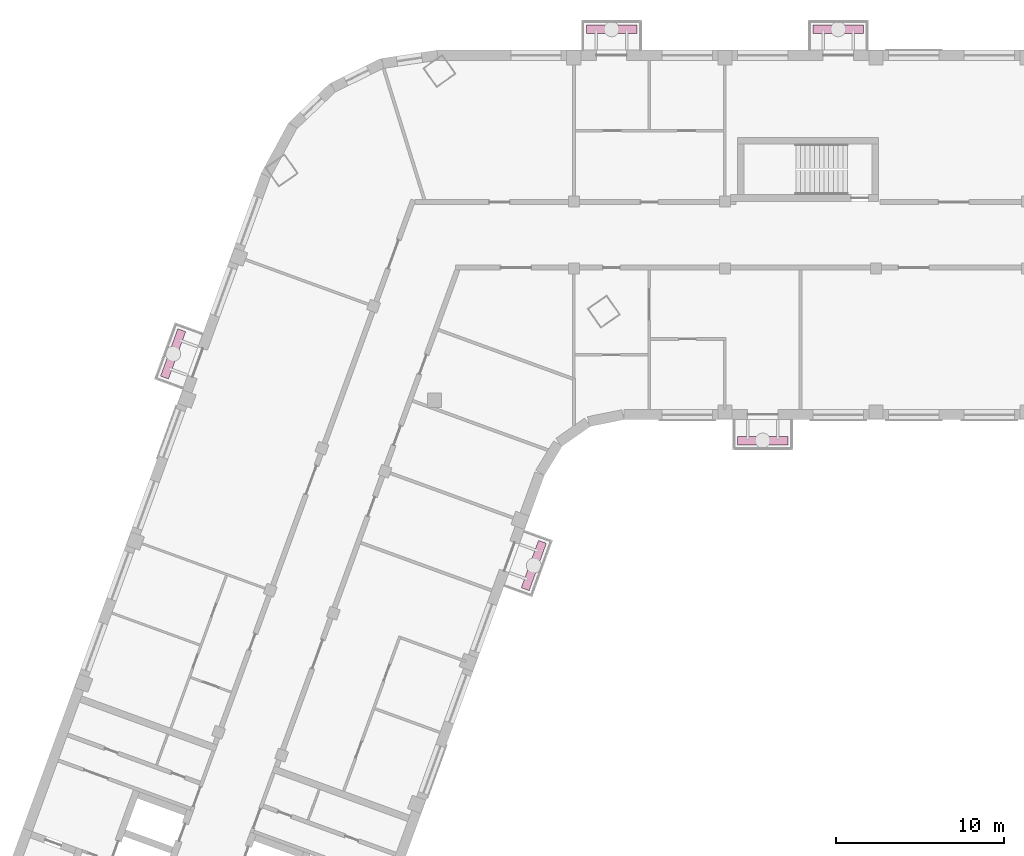
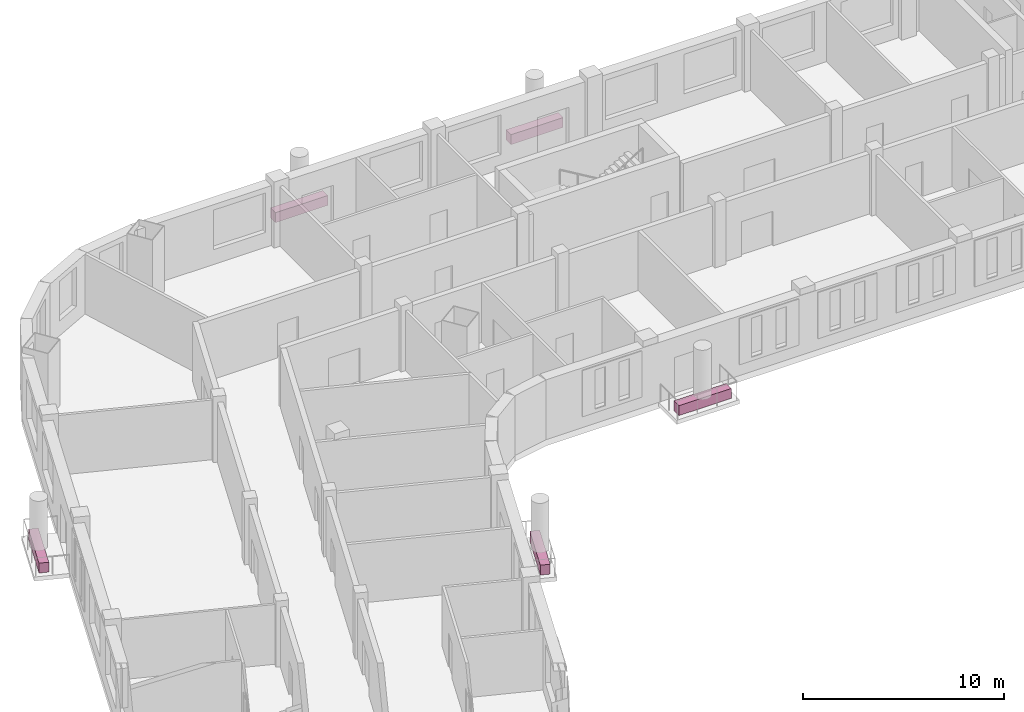
# One storey, part 11 of 12: 5 furniture elements.
"""IFC4 building model written with IfcOpenShell, lengths in metres."""

from ifc_helpers import new_model, si_unit, direction, frame, origin, origin_2d, place, context, subcontext, project, spatial, rectangle, extrude, element, save


model = new_model("IFC4")

# Units and contexts
model_context = context("Model", 3, precision=1e-05, world=origin(), true_north=direction((0.0, 1.0)))
body_context = subcontext(model_context, "Body", "Model", "MODEL_VIEW")
ifc_project = project(units=[si_unit("LENGTHUNIT", "METRE"), si_unit("AREAUNIT", "SQUARE_METRE"), si_unit("VOLUMEUNIT", "CUBIC_METRE"), si_unit("PLANEANGLEUNIT", "RADIAN"), si_unit("MASSUNIT", "GRAM", prefix="KILO")], contexts=[model_context])

# Site, building, storey
site_placement = place(None, origin())
site = spatial("IfcSite", under=ifc_project, at=site_placement, CompositionType="ELEMENT")
building_placement = place(site_placement, origin())
building = spatial("IfcBuilding", under=site, at=building_placement, Name="Skarvind Civic Tower", CompositionType="ELEMENT")
storey_placement = place(building_placement, frame((0.0, 0.0, 117.0)))
storey = spatial("IfcBuildingStorey", under=building, at=storey_placement, Name="L27", CompositionType="ELEMENT", Elevation=117.0)

# Furniture
for number, where, z_axis, x_axis, name in (
    (1, (51.867919921875, 108.305419921875, 0.0), (0.0, 0.0, 1.0), (-0.342020143326, -0.939692620786, 0.0), "TREE BALCONY PLANTER"),
    (2, (65.5, 115.75, 0.0), (0.0, 0.0, 1.0), (-1.0, 0.0, 0.0), "TREE BALCONY PLANTER"),
    (3, (56.5, 140.25, 0.0), (0.0, 0.0, 1.0), (1.0, 0.0, 0.0), "TREE BALCONY PLANTER"),
    (4, (70.0, 140.25, 0.0), (0.0, 0.0, 1.0), (1.0, 0.0, 0.0), "TREE BALCONY PLANTER"),
    (5, (30.384521484375, 120.91357421875, 0.0), (0.0, 0.0, 1.0), (0.342020143326, 0.939692620786, 0.0), "TREE BALCONY PLANTER"),
):
    element("IfcFurniture", number, at=place(storey_placement, frame(where, z_axis=z_axis, x_axis=x_axis)), inside=storey, Name=name, ObjectType="PLANTER", PredefinedType="USERDEFINED", context=body_context, shape_type="SweptSolid", body=[
        extrude(rectangle(XDim=3.0, YDim=0.5, at=origin_2d()), origin(), (0.0, 0.0, 1.0), 0.60009765625),
    ])

save(model, "model.ifc")
